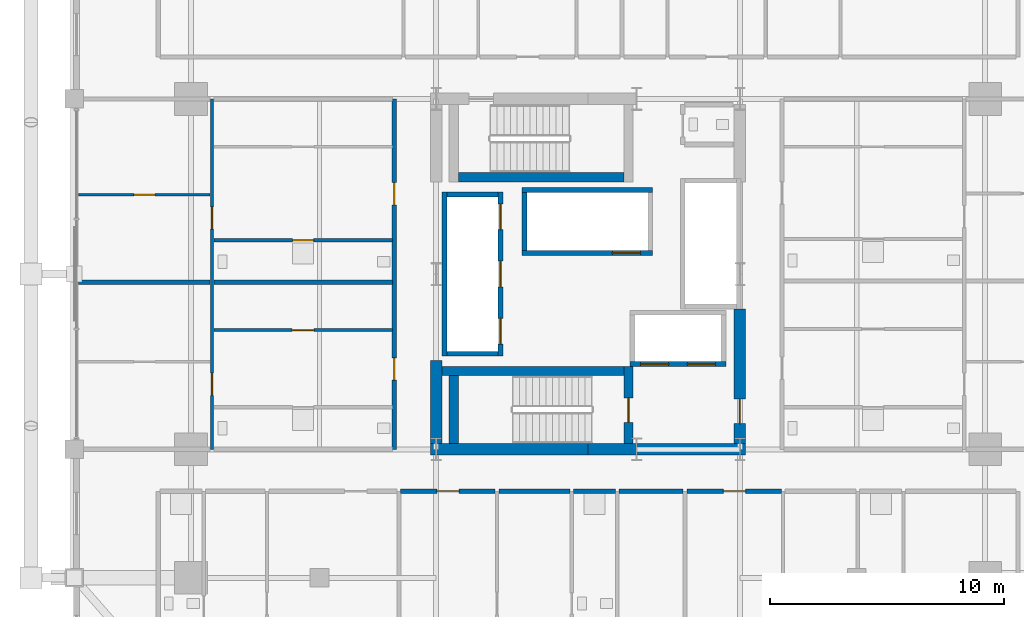
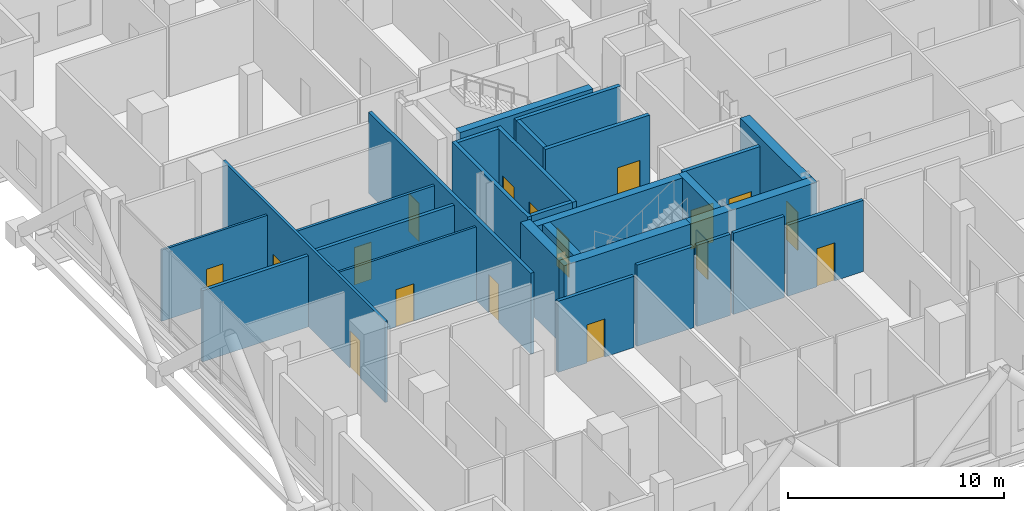
# One storey, part 24 of 33: 28 walls, 17 doors, 17 openings.
"""IFC4 building model written with IfcOpenShell, lengths in metres."""

from ifc_helpers import new_model, si_unit, direction, frame, frame_2d, origin, place, context, subcontext, project, spatial, rectangle, extrude, material, layer, layer_set, type_object, element, fill, save


model = new_model("IFC4")

# Units and contexts
model_context = context("Model", 3, precision=1e-05, world=origin(), true_north=direction((0.0, 1.0)))
body_context = subcontext(model_context, "Body", "Model", "MODEL_VIEW")
ifc_project = project(units=[si_unit("LENGTHUNIT", "METRE"), si_unit("AREAUNIT", "SQUARE_METRE"), si_unit("VOLUMEUNIT", "CUBIC_METRE"), si_unit("PLANEANGLEUNIT", "RADIAN"), si_unit("MASSUNIT", "GRAM", prefix="KILO")], contexts=[model_context])

# Site, building, storey
site_placement = place(None, origin())
site = spatial("IfcSite", under=ifc_project, at=site_placement, CompositionType="ELEMENT")
building_placement = place(site_placement, origin())
building = spatial("IfcBuilding", under=site, at=building_placement, Name="Barlavira Tower and Art Museum", CompositionType="ELEMENT")
storey_placement = place(building_placement, frame((0.0, 0.0, 27.60009765625)))
storey = spatial("IfcBuildingStorey", under=building, at=storey_placement, Name="L05", CompositionType="ELEMENT", Elevation=27.60009765625)

# Wall, opening, door
ifc_material_1 = material(Name="Gypsum acoustic stud partition", Category="gypsum")
ifc_layer_1 = layer(ifc_material_1, 0.1201171875, Name="Gypsum acoustic stud partition")
ifc_layer_set_1 = layer_set([ifc_layer_1], Name="Gypsum acoustic stud partition")
wall_type_1 = type_object("IfcWallType", Name="Apartment Internal Acoustic Partition 120", PredefinedType="PARTITIONING", material=ifc_layer_set_1)
wall_1_placement = place(storey_placement, frame((-16.02001953125, -2.39990234375, 0.0), z_axis=(0.0, 0.0, 1.0), x_axis=(1.0, 0.0, 0.0)))
wall_1 = element("IfcWall", 1, at=wall_1_placement, inside=storey, type_object=wall_type_1, Name="L05 Partition Wall 66", PredefinedType="PARTITIONING", context=body_context, shape_type="SweptSolid", body=[
    extrude(rectangle(XDim=7.64013671875, YDim=0.1201171875, at=frame_2d((3.820068359375, 0.0))), origin(), (0.0, 0.0, 1.0), 4.14794921875),
])
opening_1_placement = place(wall_1_placement, frame((3.344970703125, 0.0, 0.0)))
opening_1 = element("IfcOpeningElement", 2, at=opening_1_placement, cuts=wall_1, Name="Opening D-02", PredefinedType="OPENING", context=body_context, shape_type="SweptSolid", body=[
    extrude(rectangle(XDim=0.949951171875, YDim=2.10009765625, at=frame_2d((0.47509765625, 1.050048828125))), frame((0.0, 0.070068359375, 0.0), z_axis=(0.0, -1.0, 0.0), x_axis=(1.0, 0.0, 0.0)), (0.0, 0.0, 1.0), 0.14013671875),
])
ifc_material_2 = material(Name="Engineered coastal hardwood", Category="wood")
door_type_1 = type_object("IfcDoorType", Name="Living and Salon Glazed-Leaf Door 950x2100", OperationType="NOTDEFINED", PredefinedType="DOOR", material=ifc_material_2)
door_1_placement = place(opening_1_placement, origin())
door_1 = element("IfcDoor", 3, at=door_1_placement, inside=storey, type_object=door_type_1, Name="Apartment W1 Kitchen Door", OperationType="SINGLE_SWING_LEFT", OverallHeight=2.10009765625, OverallWidth=0.949951171875, PredefinedType="DOOR", context=body_context, shape_type="SweptSolid", body=[
    extrude(rectangle(XDim=0.949951171875, YDim=2.10009765625, at=frame_2d((0.47509765625, 1.050048828125))), frame((0.0, 0.02490234375, 0.0), z_axis=(0.0, -1.0, 0.0), x_axis=(1.0, 0.0, 0.0)), (0.0, 0.0, 1.0), 0.050048828125),
])
fill(opening_1, door_1)

wall_2_placement = place(storey_placement, frame((-21.820068359375, 3.39990234375, 0.0), z_axis=(0.0, 0.0, 1.0), x_axis=(1.0, 0.0, 0.0)))
wall_2 = element("IfcWall", 4, at=wall_2_placement, inside=storey, type_object=wall_type_1, Name="L05 Partition Wall 74", PredefinedType="PARTITIONING", context=body_context, shape_type="SweptSolid", body=[
    extrude(rectangle(XDim=5.64013671875, YDim=0.1201171875, at=frame_2d((2.820068359375, 0.0))), origin(), (0.0, 0.0, 1.0), 4.015869140625),
])
opening_2_placement = place(wall_2_placement, frame((2.3701171875, 0.0, 0.0)))
opening_2 = element("IfcOpeningElement", 5, at=opening_2_placement, cuts=wall_2, Name="Opening D-01", PredefinedType="OPENING", context=body_context, shape_type="SweptSolid", body=[
    extrude(rectangle(XDim=0.89990234375, YDim=2.10009765625, at=frame_2d((0.449951171875, 1.050048828125))), frame((0.0, 0.070068359375, 0.0), z_axis=(0.0, -1.0, 0.0), x_axis=(1.0, 0.0, 0.0)), (0.0, 0.0, 1.0), 0.14013671875),
])
door_type_2 = type_object("IfcDoorType", Name="Internal Bedroom Timber Flush Door 900x2100", OperationType="NOTDEFINED", PredefinedType="DOOR", material=ifc_material_2)
door_2_placement = place(opening_2_placement, origin())
door_2 = element("IfcDoor", 6, at=door_2_placement, inside=storey, type_object=door_type_2, Name="Apartment W2 Bedroom 1 Door", OperationType="SINGLE_SWING_RIGHT", OverallHeight=2.10009765625, OverallWidth=0.89990234375, PredefinedType="DOOR", context=body_context, shape_type="SweptSolid", body=[
    extrude(rectangle(XDim=0.89990234375, YDim=2.10009765625, at=frame_2d((0.449951171875, 1.050048828125))), frame((0.0, 0.02490234375, 0.0), z_axis=(0.0, -1.0, 0.0), x_axis=(1.0, 0.0, 0.0)), (0.0, 0.0, 1.0), 0.050048828125),
])
fill(opening_2, door_2)

# Walls
ifc_material_3 = material(Name="Concrete C60", Category="concrete")
ifc_layer_2 = layer(ifc_material_3, 0.5, Name="Concrete C60")
ifc_layer_set_2 = layer_set([ifc_layer_2], Name="Concrete C60")
wall_type_2 = type_object("IfcWallType", Name="Core Structural Shear Wall 500 Concrete C60", PredefinedType="SHEAR", material=ifc_layer_set_2)
for number, where, z_axis, x_axis, name in (
    (7, (-6.75, -7.5, 0.0), (0.0, 0.0, 1.0), (1.0, 0.0, 0.0), "L05 Core Shear Wall CS-SW"),
    (8, (0.0, -7.5, 0.0), (0.0, 0.0, 1.0), (1.0, 0.0, 0.0), "L05 Core Shear Wall CS-SE"),
):
    element("IfcWall", number, at=place(storey_placement, frame(where, z_axis=z_axis, x_axis=x_axis)), inside=storey, type_object=wall_type_2, Name=name, PredefinedType="SHEAR", context=body_context, shape_type="SweptSolid", body=[
        extrude(rectangle(XDim=6.75, YDim=0.5, at=frame_2d((3.375, 0.0))), origin(), (0.0, 0.0, 1.0), 4.579833984375),
    ])
wall_3_placement = place(storey_placement, frame((-6.5, -7.25, 0.0), z_axis=(0.0, 0.0, 1.0), x_axis=(0.0, 1.0, 0.0)))
element("IfcWall", 9, at=wall_3_placement, inside=storey, type_object=wall_type_2, Name="L05 Core Shear Wall CS-W1", PredefinedType="SHEAR", context=body_context, shape_type="SweptSolid", body=[
    extrude(rectangle(XDim=3.550048828125, YDim=0.5, at=frame_2d((1.77490234375, 0.0))), origin(), (0.0, 0.0, 1.0), 4.579833984375),
])

# Wall, opening, door
wall_4_placement = place(storey_placement, frame((6.5, -7.25, 0.0), z_axis=(0.0, 0.0, 1.0), x_axis=(0.0, 1.0, 0.0)))
wall_4 = element("IfcWall", 10, at=wall_4_placement, inside=storey, type_object=wall_type_2, Name="L05 Core Shear Wall CS-E1", PredefinedType="SHEAR", context=body_context, shape_type="SweptSolid", body=[
    extrude(rectangle(XDim=5.75, YDim=0.5, at=frame_2d((2.875, 0.0))), origin(), (0.0, 0.0, 1.0), 4.579833984375),
])
opening_3_placement = place(wall_4_placement, frame((0.85009765625, 0.0, 0.0)))
opening_3 = element("IfcOpeningElement", 11, at=opening_3_placement, cuts=wall_4, Name="Opening FD-90", PredefinedType="OPENING", context=body_context, shape_type="SweptSolid", body=[
    extrude(rectangle(XDim=1.050048828125, YDim=2.14990234375, at=frame_2d((0.52490234375, 1.074951171875))), frame((0.0, 0.260009765625, 0.0), z_axis=(0.0, -1.0, 0.0), x_axis=(1.0, 0.0, 0.0)), (0.0, 0.0, 1.0), 0.52001953125),
])
ifc_material_4 = material(Name="Brushed stainless steel", Category="steel")
door_type_3 = type_object("IfcDoorType", Name="Stair and Refuge Fire Door 1050x2150 FD90S", OperationType="NOTDEFINED", PredefinedType="DOOR", material=ifc_material_4)
door_3_placement = place(opening_3_placement, origin())
door_3 = element("IfcDoor", 12, at=door_3_placement, inside=storey, type_object=door_type_3, Name="L05 Firefighting Lobby Entry Fire Door", OperationType="SINGLE_SWING_LEFT", OverallHeight=2.14990234375, OverallWidth=1.050048828125, PredefinedType="DOOR", context=body_context, shape_type="SweptSolid", body=[
    extrude(rectangle(XDim=1.050048828125, YDim=2.14990234375, at=frame_2d((0.52490234375, 1.074951171875))), frame((0.0, 0.02490234375, 0.0), z_axis=(0.0, -1.0, 0.0), x_axis=(1.0, 0.0, 0.0)), (0.0, 0.0, 1.0), 0.050048828125),
])
fill(opening_3, door_3)

# Wall, openings, doors
ifc_material_5 = material(Name="Autoclaved aerated concrete masonry", Category="masonry")
ifc_layer_3 = layer(ifc_material_5, 0.199951171875, Name="Autoclaved aerated concrete masonry")
ifc_layer_set_3 = layer_set([ifc_layer_3], Name="Autoclaved aerated concrete masonry")
wall_type_3 = type_object("IfcWallType", Name="Fire Compartment and Shaft Wall 200", PredefinedType="SOLIDWALL", material=ifc_layer_set_3)
wall_5_placement = place(storey_placement, frame((-3.75, -3.510009765625, 0.0), z_axis=(0.0, 0.0, 1.0), x_axis=(0.0, 1.0, 0.0)))
wall_5 = element("IfcWall", 13, at=wall_5_placement, inside=storey, type_object=wall_type_3, Name="L05 Low-Rise Lift Front Shaft Wall", PredefinedType="SOLIDWALL", context=body_context, shape_type="SweptSolid", body=[
    extrude(rectangle(XDim=7.02001953125, YDim=0.199951171875, at=frame_2d((3.510009765625, 0.0))), origin(), (0.0, 0.0, 1.0), 4.579833984375),
])
opening_4_placement = place(wall_5_placement, frame((0.510009765625, 0.0, 0.0)))
opening_4 = element("IfcOpeningElement", 14, at=opening_4_placement, cuts=wall_5, Name="Opening LD-P", PredefinedType="OPENING", context=body_context, shape_type="SweptSolid", body=[
    extrude(rectangle(XDim=1.10009765625, YDim=2.14990234375, at=frame_2d((0.550048828125, 1.074951171875))), frame((0.0, 0.10986328125, 0.0), z_axis=(0.0, -1.0, 0.0), x_axis=(1.0, 0.0, 0.0)), (0.0, 0.0, 1.0), 0.219970703125),
])
opening_5_placement = place(wall_5_placement, frame((2.9599609375, 0.0, 0.0)))
opening_5 = element("IfcOpeningElement", 15, at=opening_5_placement, cuts=wall_5, Name="Opening LD-P", PredefinedType="OPENING", context=body_context, shape_type="SweptSolid", body=[
    extrude(rectangle(XDim=1.10009765625, YDim=2.14990234375, at=frame_2d((0.550048828125, 1.074951171875))), frame((0.0, 0.10986328125, 0.0), z_axis=(0.0, -1.0, 0.0), x_axis=(1.0, 0.0, 0.0)), (0.0, 0.0, 1.0), 0.219970703125),
])
opening_6_placement = place(wall_5_placement, frame((5.409912109375, 0.0, 0.0)))
opening_6 = element("IfcOpeningElement", 16, at=opening_6_placement, cuts=wall_5, Name="Opening LD-P", PredefinedType="OPENING", context=body_context, shape_type="SweptSolid", body=[
    extrude(rectangle(XDim=1.10009765625, YDim=2.14990234375, at=frame_2d((0.550048828125, 1.074951171875))), frame((0.0, 0.10986328125, 0.0), z_axis=(0.0, -1.0, 0.0), x_axis=(1.0, 0.0, 0.0)), (0.0, 0.0, 1.0), 0.219970703125),
])
door_type_4 = type_object("IfcDoorType", Name="Passenger Lift Sliding Landing Door 1100x2150 FD60", OperationType="NOTDEFINED", PredefinedType="DOOR", material=ifc_material_4)
door_4_placement = place(opening_4_placement, origin())
door_4 = element("IfcDoor", 17, at=door_4_placement, inside=storey, type_object=door_type_4, Name="L05 Lift PL1 Sliding Landing Door", OperationType="DOUBLE_DOOR_SLIDING", OverallHeight=2.14990234375, OverallWidth=1.10009765625, PredefinedType="DOOR", context=body_context, shape_type="SweptSolid", body=[
    extrude(rectangle(XDim=1.10009765625, YDim=2.14990234375, at=frame_2d((0.550048828125, 1.074951171875))), frame((0.0, 0.02490234375, 0.0), z_axis=(0.0, -1.0, 0.0), x_axis=(1.0, 0.0, 0.0)), (0.0, 0.0, 1.0), 0.050048828125),
])
fill(opening_4, door_4)
door_5_placement = place(opening_5_placement, origin())
door_5 = element("IfcDoor", 18, at=door_5_placement, inside=storey, type_object=door_type_4, Name="L05 Lift PL2 Sliding Landing Door", OperationType="DOUBLE_DOOR_SLIDING", OverallHeight=2.14990234375, OverallWidth=1.10009765625, PredefinedType="DOOR", context=body_context, shape_type="SweptSolid", body=[
    extrude(rectangle(XDim=1.10009765625, YDim=2.14990234375, at=frame_2d((0.550048828125, 1.074951171875))), frame((0.0, 0.02490234375, 0.0), z_axis=(0.0, -1.0, 0.0), x_axis=(1.0, 0.0, 0.0)), (0.0, 0.0, 1.0), 0.050048828125),
])
fill(opening_5, door_5)
door_6_placement = place(opening_6_placement, origin())
door_6 = element("IfcDoor", 19, at=door_6_placement, inside=storey, type_object=door_type_4, Name="L05 Lift PL3 Sliding Landing Door", OperationType="DOUBLE_DOOR_SLIDING", OverallHeight=2.14990234375, OverallWidth=1.10009765625, PredefinedType="DOOR", context=body_context, shape_type="SweptSolid", body=[
    extrude(rectangle(XDim=1.10009765625, YDim=2.14990234375, at=frame_2d((0.550048828125, 1.074951171875))), frame((0.0, 0.02490234375, 0.0), z_axis=(0.0, -1.0, 0.0), x_axis=(1.0, 0.0, 0.0)), (0.0, 0.0, 1.0), 0.050048828125),
])
fill(opening_6, door_6)

# Walls
wall_6_placement = place(storey_placement, frame((-6.14990234375, -3.510009765625, 0.0), z_axis=(0.0, 0.0, 1.0), x_axis=(0.0, 1.0, 0.0)))
element("IfcWall", 20, at=wall_6_placement, inside=storey, type_object=wall_type_3, Name="L05 Low-Rise Lift Back Shaft Wall", PredefinedType="SOLIDWALL", context=body_context, shape_type="SweptSolid", body=[
    extrude(rectangle(XDim=7.02001953125, YDim=0.199951171875, at=frame_2d((3.510009765625, 0.0))), origin(), (0.0, 0.0, 1.0), 4.579833984375),
])
for number, where, z_axis, x_axis, name in (
    (21, (-6.050048828125, -3.409912109375, 0.0), (0.0, 0.0, 1.0), (1.0, 0.0, 0.0), "L05 Low-Rise Lift South Shaft Wall"),
    (22, (-6.050048828125, 3.409912109375, 0.0), (0.0, 0.0, 1.0), (1.0, 0.0, 0.0), "L05 Low-Rise Lift North Shaft Wall"),
):
    element("IfcWall", number, at=place(storey_placement, frame(where, z_axis=z_axis, x_axis=x_axis)), inside=storey, type_object=wall_type_3, Name=name, PredefinedType="SOLIDWALL", context=body_context, shape_type="SweptSolid", body=[
        extrude(rectangle(XDim=2.199951171875, YDim=0.199951171875, at=frame_2d((1.10009765625, 0.0))), origin(), (0.0, 0.0, 1.0), 4.579833984375),
    ])

# Wall, opening, door
wall_7_placement = place(storey_placement, frame((-2.820068359375, 0.89990234375, 0.0), z_axis=(0.0, 0.0, 1.0), x_axis=(1.0, 0.0, 0.0)))
wall_7 = element("IfcWall", 23, at=wall_7_placement, inside=storey, type_object=wall_type_3, Name="L05 High-Rise & Service Lift Front Wall", PredefinedType="SOLIDWALL", context=body_context, shape_type="SweptSolid", body=[
    extrude(rectangle(XDim=5.580078125, YDim=0.199951171875, at=frame_2d((2.7900390625, 0.0))), origin(), (0.0, 0.0, 1.0), 4.579833984375),
])
opening_7_placement = place(wall_7_placement, frame((3.860107421875, 0.0, 0.0)))
opening_7 = element("IfcOpeningElement", 24, at=opening_7_placement, cuts=wall_7, Name="Opening LD-F", PredefinedType="OPENING", context=body_context, shape_type="SweptSolid", body=[
    extrude(rectangle(XDim=1.199951171875, YDim=2.199951171875, at=frame_2d((0.60009765625, 1.10009765625))), frame((0.0, 0.10986328125, 0.0), z_axis=(0.0, -1.0, 0.0), x_axis=(1.0, 0.0, 0.0)), (0.0, 0.0, 1.0), 0.219970703125),
])
door_type_5 = type_object("IfcDoorType", Name="Firefighting and Service Lift Sliding Door 1200x2200 FD120", OperationType="NOTDEFINED", PredefinedType="DOOR", material=ifc_material_4)
door_7_placement = place(opening_7_placement, origin())
door_7 = element("IfcDoor", 25, at=door_7_placement, inside=storey, type_object=door_type_5, Name="L05 Stretcher Service Lift SL1 Sliding Door", OperationType="DOUBLE_DOOR_SLIDING", OverallHeight=2.199951171875, OverallWidth=1.199951171875, PredefinedType="DOOR", context=body_context, shape_type="SweptSolid", body=[
    extrude(rectangle(XDim=1.199951171875, YDim=2.199951171875, at=frame_2d((0.60009765625, 1.10009765625))), frame((0.0, 0.02490234375, 0.0), z_axis=(0.0, -1.0, 0.0), x_axis=(1.0, 0.0, 0.0)), (0.0, 0.0, 1.0), 0.050048828125),
])
fill(opening_7, door_7)

# Walls
wall_8_placement = place(storey_placement, frame((-2.820068359375, 3.60009765625, 0.0), z_axis=(0.0, 0.0, 1.0), x_axis=(1.0, 0.0, 0.0)))
element("IfcWall", 26, at=wall_8_placement, inside=storey, type_object=wall_type_3, Name="L05 High-Rise & Service Lift Back Wall", PredefinedType="SOLIDWALL", context=body_context, shape_type="SweptSolid", body=[
    extrude(rectangle(XDim=5.580078125, YDim=0.199951171875, at=frame_2d((2.7900390625, 0.0))), origin(), (0.0, 0.0, 1.0), 4.579833984375),
])
wall_9_placement = place(storey_placement, frame((-2.719970703125, 1.0, 0.0), z_axis=(0.0, 0.0, 1.0), x_axis=(0.0, 1.0, 0.0)))
element("IfcWall", 27, at=wall_9_placement, inside=storey, type_object=wall_type_3, Name="L05 High-Rise & Service Lift West Wall", PredefinedType="SOLIDWALL", context=body_context, shape_type="SweptSolid", body=[
    extrude(rectangle(XDim=2.5, YDim=0.199951171875, at=frame_2d((1.25, 0.0))), origin(), (0.0, 0.0, 1.0), 4.579833984375),
])

# Wall, openings, doors
wall_10_placement = place(storey_placement, frame((1.800048828125, -3.85009765625, 0.0), z_axis=(0.0, 0.0, 1.0), x_axis=(1.0, 0.0, 0.0)))
wall_10 = element("IfcWall", 28, at=wall_10_placement, inside=storey, type_object=wall_type_3, Name="L05 Firefighting Lift Front Shaft Wall", PredefinedType="SOLIDWALL", context=body_context, shape_type="SweptSolid", body=[
    extrude(rectangle(XDim=4.099853515625, YDim=0.199951171875, at=frame_2d((2.0498046875, 0.0))), origin(), (0.0, 0.0, 1.0), 4.579833984375),
])
opening_8_placement = place(wall_10_placement, frame((0.449951171875, 0.0, 0.0)))
opening_8 = element("IfcOpeningElement", 29, at=opening_8_placement, cuts=wall_10, Name="Opening LD-F", PredefinedType="OPENING", context=body_context, shape_type="SweptSolid", body=[
    extrude(rectangle(XDim=1.199951171875, YDim=2.199951171875, at=frame_2d((0.60009765625, 1.10009765625))), frame((0.0, 0.10986328125, 0.0), z_axis=(0.0, -1.0, 0.0), x_axis=(1.0, 0.0, 0.0)), (0.0, 0.0, 1.0), 0.219970703125),
])
opening_9_placement = place(wall_10_placement, frame((2.449951171875, 0.0, 0.0)))
opening_9 = element("IfcOpeningElement", 30, at=opening_9_placement, cuts=wall_10, Name="Opening LD-F", PredefinedType="OPENING", context=body_context, shape_type="SweptSolid", body=[
    extrude(rectangle(XDim=1.199951171875, YDim=2.199951171875, at=frame_2d((0.60009765625, 1.10009765625))), frame((0.0, 0.10986328125, 0.0), z_axis=(0.0, -1.0, 0.0), x_axis=(1.0, 0.0, 0.0)), (0.0, 0.0, 1.0), 0.219970703125),
])
door_8_placement = place(opening_8_placement, origin())
door_8 = element("IfcDoor", 31, at=door_8_placement, inside=storey, type_object=door_type_5, Name="L05 Firefighting Lift FF1 Sliding Door", OperationType="DOUBLE_DOOR_SLIDING", OverallHeight=2.199951171875, OverallWidth=1.199951171875, PredefinedType="DOOR", context=body_context, shape_type="SweptSolid", body=[
    extrude(rectangle(XDim=1.199951171875, YDim=2.199951171875, at=frame_2d((0.60009765625, 1.10009765625))), frame((0.0, 0.02490234375, 0.0), z_axis=(0.0, -1.0, 0.0), x_axis=(1.0, 0.0, 0.0)), (0.0, 0.0, 1.0), 0.050048828125),
])
fill(opening_8, door_8)
door_9_placement = place(opening_9_placement, origin())
door_9 = element("IfcDoor", 32, at=door_9_placement, inside=storey, type_object=door_type_5, Name="L05 Firefighting Lift FF2 Sliding Door", OperationType="DOUBLE_DOOR_SLIDING", OverallHeight=2.199951171875, OverallWidth=1.199951171875, PredefinedType="DOOR", context=body_context, shape_type="SweptSolid", body=[
    extrude(rectangle(XDim=1.199951171875, YDim=2.199951171875, at=frame_2d((0.60009765625, 1.10009765625))), frame((0.0, 0.02490234375, 0.0), z_axis=(0.0, -1.0, 0.0), x_axis=(1.0, 0.0, 0.0)), (0.0, 0.0, 1.0), 0.050048828125),
])
fill(opening_9, door_9)

ifc_layer_4 = layer(ifc_material_1, 0.179931640625, Name="Gypsum acoustic stud partition")
ifc_layer_set_4 = layer_set([ifc_layer_4], Name="Gypsum acoustic stud partition")
wall_type_4 = type_object("IfcWallType", Name="Inter-Tenancy Party Partition Wall 180", PredefinedType="PARTITIONING", material=ifc_layer_set_4)
wall_11_placement = place(storey_placement, frame((-8.300048828125, -7.5, 0.0), z_axis=(0.0, 0.0, 1.0), x_axis=(0.0, 1.0, 0.0)))
wall_11 = element("IfcWall", 33, at=wall_11_placement, inside=storey, type_object=wall_type_4, Name="L05 Partition Wall 9", PredefinedType="PARTITIONING", context=body_context, shape_type="SweptSolid", body=[
    extrude(rectangle(XDim=15.0, YDim=0.179931640625, at=frame_2d((7.5, 0.0))), origin(), (0.0, 0.0, 1.0), 4.579833984375),
])
opening_10_placement = place(wall_11_placement, frame((2.965087890625, 0.0, 0.0)))
opening_10 = element("IfcOpeningElement", 34, at=opening_10_placement, cuts=wall_11, Name="Opening FD-60", PredefinedType="OPENING", context=body_context, shape_type="SweptSolid", body=[
    extrude(rectangle(XDim=0.949951171875, YDim=2.14990234375, at=frame_2d((0.47509765625, 1.074951171875))), frame((0.0, 0.10009765625, 0.0), z_axis=(0.0, -1.0, 0.0), x_axis=(1.0, 0.0, 0.0)), (0.0, 0.0, 1.0), 0.199951171875),
])
opening_11_placement = place(wall_11_placement, frame((10.465087890625, 0.0, 0.0)))
opening_11 = element("IfcOpeningElement", 35, at=opening_11_placement, cuts=wall_11, Name="Opening FD-60", PredefinedType="OPENING", context=body_context, shape_type="SweptSolid", body=[
    extrude(rectangle(XDim=0.949951171875, YDim=2.14990234375, at=frame_2d((0.47509765625, 1.074951171875))), frame((0.0, 0.10009765625, 0.0), z_axis=(0.0, -1.0, 0.0), x_axis=(1.0, 0.0, 0.0)), (0.0, 0.0, 1.0), 0.199951171875),
])
door_type_6 = type_object("IfcDoorType", Name="Apartment Entrance and Riser Fire Door 950x2150 FD60S", OperationType="NOTDEFINED", PredefinedType="DOOR", material=ifc_material_4)
door_10_placement = place(opening_10_placement, origin())
door_10 = element("IfcDoor", 36, at=door_10_placement, inside=storey, type_object=door_type_6, Name="Apartment Entrance Hall W1 Door", OperationType="SINGLE_SWING_RIGHT", OverallHeight=2.14990234375, OverallWidth=0.949951171875, PredefinedType="DOOR", context=body_context, shape_type="SweptSolid", body=[
    extrude(rectangle(XDim=0.949951171875, YDim=2.14990234375, at=frame_2d((0.47509765625, 1.074951171875))), frame((0.0, 0.02490234375, 0.0), z_axis=(0.0, -1.0, 0.0), x_axis=(1.0, 0.0, 0.0)), (0.0, 0.0, 1.0), 0.050048828125),
])
fill(opening_10, door_10)
door_11_placement = place(opening_11_placement, origin())
door_11 = element("IfcDoor", 37, at=door_11_placement, inside=storey, type_object=door_type_6, Name="Apartment Entrance Hall W2 Door", OperationType="SINGLE_SWING_LEFT", OverallHeight=2.14990234375, OverallWidth=0.949951171875, PredefinedType="DOOR", context=body_context, shape_type="SweptSolid", body=[
    extrude(rectangle(XDim=0.949951171875, YDim=2.14990234375, at=frame_2d((0.47509765625, 1.074951171875))), frame((0.0, 0.02490234375, 0.0), z_axis=(0.0, -1.0, 0.0), x_axis=(1.0, 0.0, 0.0)), (0.0, 0.0, 1.0), 0.050048828125),
])
fill(opening_11, door_11)

# Wall, opening, door
wall_12_placement = place(storey_placement, frame((-8.02001953125, -9.300048828125, 0.0), z_axis=(0.0, 0.0, 1.0), x_axis=(1.0, 0.0, 0.0)))
wall_12 = element("IfcWall", 38, at=wall_12_placement, inside=storey, type_object=wall_type_4, Name="L05 Partition Wall 50", PredefinedType="PARTITIONING", context=body_context, shape_type="SweptSolid", body=[
    extrude(rectangle(XDim=4.0400390625, YDim=0.179931640625, at=frame_2d((2.02001953125, 0.0))), origin(), (0.0, 0.0, 1.0), 4.015869140625),
])
opening_12_placement = place(wall_12_placement, frame((1.544921875, 0.0, 0.0)))
opening_12 = element("IfcOpeningElement", 39, at=opening_12_placement, cuts=wall_12, Name="Opening FD-60", PredefinedType="OPENING", context=body_context, shape_type="SweptSolid", body=[
    extrude(rectangle(XDim=0.949951171875, YDim=2.14990234375, at=frame_2d((0.47509765625, 1.074951171875))), frame((0.0, 0.10009765625, 0.0), z_axis=(0.0, -1.0, 0.0), x_axis=(1.0, 0.0, 0.0)), (0.0, 0.0, 1.0), 0.199951171875),
])
door_12_placement = place(opening_12_placement, origin())
door_12 = element("IfcDoor", 40, at=door_12_placement, inside=storey, type_object=door_type_6, Name="Apartment Entrance Hall S2 Door", OperationType="SINGLE_SWING_LEFT", OverallHeight=2.14990234375, OverallWidth=0.949951171875, PredefinedType="DOOR", context=body_context, shape_type="SweptSolid", body=[
    extrude(rectangle(XDim=0.949951171875, YDim=2.14990234375, at=frame_2d((0.47509765625, 1.074951171875))), frame((0.0, 0.02490234375, 0.0), z_axis=(0.0, -1.0, 0.0), x_axis=(1.0, 0.0, 0.0)), (0.0, 0.0, 1.0), 0.050048828125),
])
fill(opening_12, door_12)

# Walls
wall_13_placement = place(storey_placement, frame((-3.820068359375, -9.300048828125, 0.0), z_axis=(0.0, 0.0, 1.0), x_axis=(1.0, 0.0, 0.0)))
element("IfcWall", 41, at=wall_13_placement, inside=storey, type_object=wall_type_4, Name="L05 Partition Wall 51", PredefinedType="PARTITIONING", context=body_context, shape_type="SweptSolid", body=[
    extrude(rectangle(XDim=3.0400390625, YDim=0.179931640625, at=frame_2d((1.52001953125, 0.0))), origin(), (0.0, 0.0, 1.0), 4.579833984375),
])
wall_14_placement = place(storey_placement, frame((-0.6201171875, -9.300048828125, 0.0), z_axis=(0.0, 0.0, 1.0), x_axis=(1.0, 0.0, 0.0)))
element("IfcWall", 42, at=wall_14_placement, inside=storey, type_object=wall_type_4, Name="L05 Partition Wall 52", PredefinedType="PARTITIONING", context=body_context, shape_type="SweptSolid", body=[
    extrude(rectangle(XDim=1.7900390625, YDim=0.179931640625, at=frame_2d((0.89501953125, 0.0))), origin(), (0.0, 0.0, 1.0), 4.579833984375),
])
wall_15_placement = place(storey_placement, frame((1.330078125, -9.300048828125, 0.0), z_axis=(0.0, 0.0, 1.0), x_axis=(1.0, 0.0, 0.0)))
element("IfcWall", 43, at=wall_15_placement, inside=storey, type_object=wall_type_4, Name="L05 Partition Wall 53", PredefinedType="PARTITIONING", context=body_context, shape_type="SweptSolid", body=[
    extrude(rectangle(XDim=2.739990234375, YDim=0.179931640625, at=frame_2d((1.3701171875, 0.0))), origin(), (0.0, 0.0, 1.0), 4.579833984375),
])

# Wall, opening, door
wall_16_placement = place(storey_placement, frame((4.22998046875, -9.300048828125, 0.0), z_axis=(0.0, 0.0, 1.0), x_axis=(1.0, 0.0, 0.0)))
wall_16 = element("IfcWall", 44, at=wall_16_placement, inside=storey, type_object=wall_type_4, Name="L05 Partition Wall 54", PredefinedType="PARTITIONING", context=body_context, shape_type="SweptSolid", body=[
    extrude(rectangle(XDim=4.0400390625, YDim=0.179931640625, at=frame_2d((2.02001953125, 0.0))), origin(), (0.0, 0.0, 1.0), 4.015869140625),
])
opening_13_placement = place(wall_16_placement, frame((1.56494140625, 0.0, 0.0)))
opening_13 = element("IfcOpeningElement", 45, at=opening_13_placement, cuts=wall_16, Name="Opening FD-60", PredefinedType="OPENING", context=body_context, shape_type="SweptSolid", body=[
    extrude(rectangle(XDim=0.949951171875, YDim=2.14990234375, at=frame_2d((0.47509765625, 1.074951171875))), frame((0.0, 0.10009765625, 0.0), z_axis=(0.0, -1.0, 0.0), x_axis=(1.0, 0.0, 0.0)), (0.0, 0.0, 1.0), 0.199951171875),
])
door_13_placement = place(opening_13_placement, origin())
door_13 = element("IfcDoor", 46, at=door_13_placement, inside=storey, type_object=door_type_6, Name="Apartment Entrance Hall S3 Door", OperationType="SINGLE_SWING_RIGHT", OverallHeight=2.14990234375, OverallWidth=0.949951171875, PredefinedType="DOOR", context=body_context, shape_type="SweptSolid", body=[
    extrude(rectangle(XDim=0.949951171875, YDim=2.14990234375, at=frame_2d((0.47509765625, 1.074951171875))), frame((0.0, 0.02490234375, 0.0), z_axis=(0.0, -1.0, 0.0), x_axis=(1.0, 0.0, 0.0)), (0.0, 0.0, 1.0), 0.050048828125),
])
fill(opening_13, door_13)

# Walls
wall_17_placement = place(storey_placement, frame((-21.820068359375, -0.35009765625, 0.0), z_axis=(0.0, 0.0, 1.0), x_axis=(1.0, 0.0, 0.0)))
element("IfcWall", 47, at=wall_17_placement, inside=storey, type_object=wall_type_4, Name="L05 Partition Wall 68", PredefinedType="PARTITIONING", context=body_context, shape_type="SweptSolid", body=[
    extrude(rectangle(XDim=5.64013671875, YDim=0.179931640625, at=frame_2d((2.820068359375, 0.0))), origin(), (0.0, 0.0, 1.0), 4.015869140625),
])
wall_18_placement = place(storey_placement, frame((-16.02001953125, -0.35009765625, 0.0), z_axis=(0.0, 0.0, 1.0), x_axis=(1.0, 0.0, 0.0)))
element("IfcWall", 48, at=wall_18_placement, inside=storey, type_object=wall_type_4, Name="L05 Partition Wall 69", PredefinedType="PARTITIONING", context=body_context, shape_type="SweptSolid", body=[
    extrude(rectangle(XDim=7.64013671875, YDim=0.179931640625, at=frame_2d((3.820068359375, 0.0))), origin(), (0.0, 0.0, 1.0), 4.14794921875),
])

# Wall, openings, doors
ifc_layer_5 = layer(ifc_material_1, 0.139892578125, Name="Gypsum acoustic stud partition")
ifc_layer_set_5 = layer_set([ifc_layer_5], Name="Gypsum acoustic stud partition")
wall_type_5 = type_object("IfcWallType", Name="Moisture-Resistant Bathroom Partition 140", PredefinedType="PARTITIONING", material=ifc_layer_set_5)
wall_19_placement = place(storey_placement, frame((-16.10009765625, -7.5, 0.0), z_axis=(0.0, 0.0, 1.0), x_axis=(0.0, 1.0, 0.0)))
wall_19 = element("IfcWall", 49, at=wall_19_placement, inside=storey, type_object=wall_type_5, Name="L05 Partition Wall 4", PredefinedType="PARTITIONING", context=body_context, shape_type="SweptSolid", body=[
    extrude(rectangle(XDim=15.0, YDim=0.139892578125, at=frame_2d((7.5, 0.0))), origin(), (0.0, 0.0, 1.0), 4.579833984375),
])
opening_14_placement = place(wall_19_placement, frame((2.304931640625, 0.0, 0.0)))
opening_14 = element("IfcOpeningElement", 50, at=opening_14_placement, cuts=wall_19, Name="Opening D-02", PredefinedType="OPENING", context=body_context, shape_type="SweptSolid", body=[
    extrude(rectangle(XDim=0.949951171875, YDim=2.10009765625, at=frame_2d((0.47509765625, 1.050048828125))), frame((0.0, 0.080078125, 0.0), z_axis=(0.0, -1.0, 0.0), x_axis=(1.0, 0.0, 0.0)), (0.0, 0.0, 1.0), 0.159912109375),
])
opening_15_placement = place(wall_19_placement, frame((9.425048828125, 0.0, 0.0)))
opening_15 = element("IfcOpeningElement", 51, at=opening_15_placement, cuts=wall_19, Name="Opening D-02", PredefinedType="OPENING", context=body_context, shape_type="SweptSolid", body=[
    extrude(rectangle(XDim=0.949951171875, YDim=2.10009765625, at=frame_2d((0.47509765625, 1.050048828125))), frame((0.0, 0.080078125, 0.0), z_axis=(0.0, -1.0, 0.0), x_axis=(1.0, 0.0, 0.0)), (0.0, 0.0, 1.0), 0.159912109375),
])
door_14_placement = place(opening_14_placement, origin())
door_14 = element("IfcDoor", 52, at=door_14_placement, inside=storey, type_object=door_type_1, Name="Apartment W1 Living Lounge Door", OperationType="SINGLE_SWING_RIGHT", OverallHeight=2.10009765625, OverallWidth=0.949951171875, PredefinedType="DOOR", context=body_context, shape_type="SweptSolid", body=[
    extrude(rectangle(XDim=0.949951171875, YDim=2.10009765625, at=frame_2d((0.47509765625, 1.050048828125))), frame((0.0, 0.02490234375, 0.0), z_axis=(0.0, -1.0, 0.0), x_axis=(1.0, 0.0, 0.0)), (0.0, 0.0, 1.0), 0.050048828125),
])
fill(opening_14, door_14)
door_15_placement = place(opening_15_placement, origin())
door_15 = element("IfcDoor", 53, at=door_15_placement, inside=storey, type_object=door_type_1, Name="Apartment W2 Living Lounge Door", OperationType="SINGLE_SWING_LEFT", OverallHeight=2.10009765625, OverallWidth=0.949951171875, PredefinedType="DOOR", context=body_context, shape_type="SweptSolid", body=[
    extrude(rectangle(XDim=0.949951171875, YDim=2.10009765625, at=frame_2d((0.47509765625, 1.050048828125))), frame((0.0, 0.02490234375, 0.0), z_axis=(0.0, -1.0, 0.0), x_axis=(1.0, 0.0, 0.0)), (0.0, 0.0, 1.0), 0.050048828125),
])
fill(opening_15, door_15)

# Wall, opening, door
wall_20_placement = place(storey_placement, frame((-16.02001953125, 1.449951171875, 0.0), z_axis=(0.0, 0.0, 1.0), x_axis=(1.0, 0.0, 0.0)))
wall_20 = element("IfcWall", 54, at=wall_20_placement, inside=storey, type_object=wall_type_5, Name="L05 Partition Wall 72", PredefinedType="PARTITIONING", context=body_context, shape_type="SweptSolid", body=[
    extrude(rectangle(XDim=7.64013671875, YDim=0.139892578125, at=frame_2d((3.820068359375, 0.0))), origin(), (0.0, 0.0, 1.0), 4.14794921875),
])
opening_16_placement = place(wall_20_placement, frame((3.3701171875, 0.0, 0.0)))
opening_16 = element("IfcOpeningElement", 55, at=opening_16_placement, cuts=wall_20, Name="Opening D-WC", PredefinedType="OPENING", context=body_context, shape_type="SweptSolid", body=[
    extrude(rectangle(XDim=0.89990234375, YDim=2.10009765625, at=frame_2d((0.449951171875, 1.050048828125))), frame((0.0, 0.080078125, 0.0), z_axis=(0.0, -1.0, 0.0), x_axis=(1.0, 0.0, 0.0)), (0.0, 0.0, 1.0), 0.159912109375),
])
door_type_7 = type_object("IfcDoorType", Name="Accessible Bathroom Flush Door 900x2100", OperationType="NOTDEFINED", PredefinedType="DOOR", material=ifc_material_2)
door_16_placement = place(opening_16_placement, origin())
door_16 = element("IfcDoor", 56, at=door_16_placement, inside=storey, type_object=door_type_7, Name="Apartment W2 Hall Bathroom Door", OperationType="SINGLE_SWING_RIGHT", OverallHeight=2.10009765625, OverallWidth=0.89990234375, PredefinedType="DOOR", context=body_context, shape_type="SweptSolid", body=[
    extrude(rectangle(XDim=0.89990234375, YDim=2.10009765625, at=frame_2d((0.449951171875, 1.050048828125))), frame((0.0, 0.02490234375, 0.0), z_axis=(0.0, -1.0, 0.0), x_axis=(1.0, 0.0, 0.0)), (0.0, 0.0, 1.0), 0.050048828125),
])
fill(opening_16, door_16)

# Walls
ifc_material_6 = material(Name="Concrete C55", Category="concrete")
ifc_layer_6 = layer(ifc_material_6, 0.39990234375, Name="Concrete C55")
ifc_layer_set_6 = layer_set([ifc_layer_6], Name="Concrete C55")
wall_type_6 = type_object("IfcWallType", Name="Upper Core Shear Wall 400 Concrete C55", PredefinedType="SHEAR", material=ifc_layer_set_6)
wall_21_placement = place(storey_placement, frame((-5.75, -7.25, 0.0), z_axis=(0.0, 0.0, 1.0), x_axis=(0.0, 1.0, 0.0)))
element("IfcWall", 57, at=wall_21_placement, inside=storey, type_object=wall_type_6, Name="L05 ST-T1 West Half-Landing Wall", PredefinedType="SHEAR", context=body_context, shape_type="SweptSolid", body=[
    extrude(rectangle(XDim=2.89990234375, YDim=0.39990234375, at=frame_2d((1.449951171875, 0.0))), origin(), (0.0, 0.0, 1.0), 4.579833984375),
])
wall_22_placement = place(storey_placement, frame((-6.25, -4.14990234375, 0.0), z_axis=(0.0, 0.0, 1.0), x_axis=(1.0, 0.0, 0.0)))
element("IfcWall", 58, at=wall_22_placement, inside=storey, type_object=wall_type_6, Name="L05 ST-T1 North Shaft Wall", PredefinedType="SHEAR", context=body_context, shape_type="SweptSolid", body=[
    extrude(rectangle(XDim=7.780029296875, YDim=0.39990234375, at=frame_2d((3.89013671875, 0.0))), origin(), (0.0, 0.0, 1.0), 4.579833984375),
])

# Wall, opening, door
wall_23_placement = place(storey_placement, frame((1.72998046875, -7.25, 0.0), z_axis=(0.0, 0.0, 1.0), x_axis=(0.0, 1.0, 0.0)))
wall_23 = element("IfcWall", 59, at=wall_23_placement, inside=storey, type_object=wall_type_6, Name="L05 ST-T1 East Landing Wall", PredefinedType="SHEAR", context=body_context, shape_type="SweptSolid", body=[
    extrude(rectangle(XDim=3.300048828125, YDim=0.39990234375, at=frame_2d((1.64990234375, 0.0))), origin(), (0.0, 0.0, 1.0), 4.579833984375),
])
opening_17_placement = place(wall_23_placement, frame((0.89990234375, 0.0, 0.0)))
opening_17 = element("IfcOpeningElement", 60, at=opening_17_placement, cuts=wall_23, Name="Opening FD-90", PredefinedType="OPENING", context=body_context, shape_type="SweptSolid", body=[
    extrude(rectangle(XDim=1.050048828125, YDim=2.14990234375, at=frame_2d((0.52490234375, 1.074951171875))), frame((0.0, 0.2099609375, 0.0), z_axis=(0.0, -1.0, 0.0), x_axis=(1.0, 0.0, 0.0)), (0.0, 0.0, 1.0), 0.419921875),
])
door_17_placement = place(opening_17_placement, origin())
door_17 = element("IfcDoor", 61, at=door_17_placement, inside=storey, type_object=door_type_3, Name="L05 Stair ST-T1 Fire Door", OperationType="SINGLE_SWING_RIGHT", OverallHeight=2.14990234375, OverallWidth=1.050048828125, PredefinedType="DOOR", context=body_context, shape_type="SweptSolid", body=[
    extrude(rectangle(XDim=1.050048828125, YDim=2.14990234375, at=frame_2d((0.52490234375, 1.074951171875))), frame((0.0, 0.02490234375, 0.0), z_axis=(0.0, -1.0, 0.0), x_axis=(1.0, 0.0, 0.0)), (0.0, 0.0, 1.0), 0.050048828125),
])
fill(opening_17, door_17)

# Wall
wall_24_placement = place(storey_placement, frame((-5.550048828125, 4.14990234375, 0.0), z_axis=(0.0, 0.0, 1.0), x_axis=(1.0, 0.0, 0.0)))
element("IfcWall", 62, at=wall_24_placement, inside=storey, type_object=wall_type_6, Name="L05 ST-T2 South Shaft Wall", PredefinedType="SHEAR", context=body_context, shape_type="SweptSolid", body=[
    extrude(rectangle(XDim=7.080078125, YDim=0.39990234375, at=frame_2d((3.5400390625, 0.0))), origin(), (0.0, 0.0, 1.0), 4.579833984375),
])

save(model, "model.ifc")
